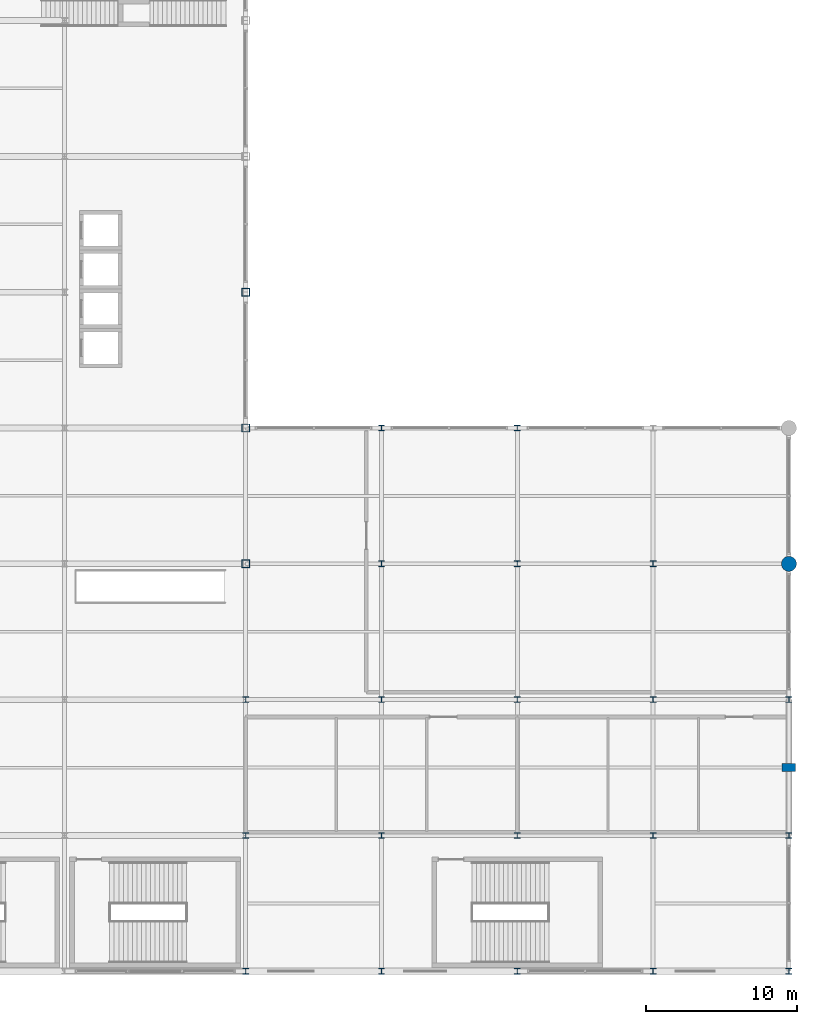
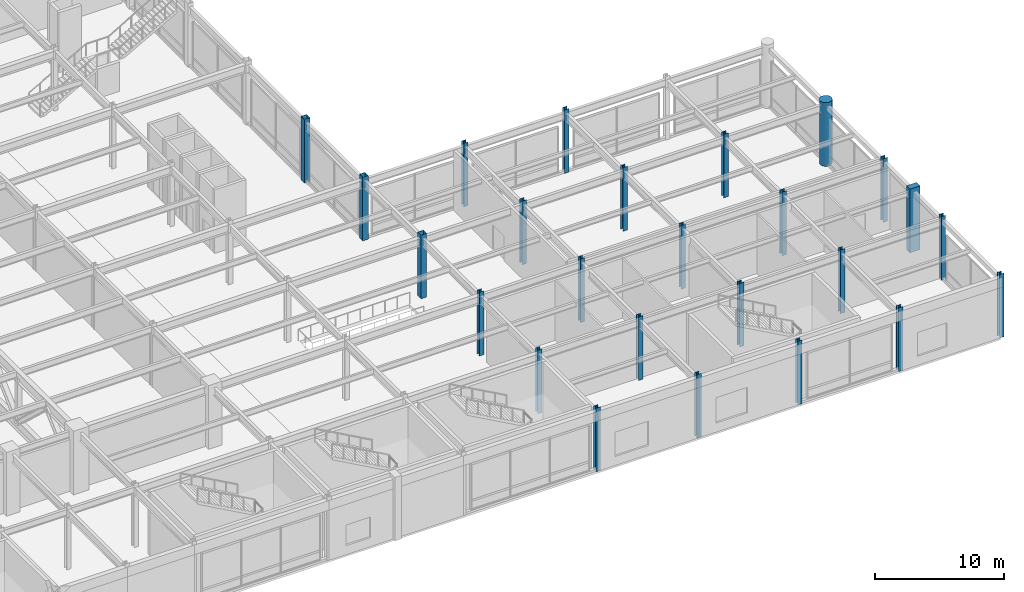
# One storey, part 14 of 108: 25 columns.
"""IFC4 building model written with IfcOpenShell, lengths in metres."""

from ifc_helpers import new_model, si_unit, direction, frame, origin, origin_2d, place, context, subcontext, project, spatial, rectangle, hollow_rectangle, circle, i_section, extrude, material, material_profile, profile_set, type_object, element, save


model = new_model("IFC4")

# Units and contexts
model_context = context("Model", 3, precision=1e-05, world=origin(), true_north=direction((0.0, 1.0)))
body_context = subcontext(model_context, "Body", "Model", "MODEL_VIEW")
ifc_project = project(units=[si_unit("LENGTHUNIT", "METRE"), si_unit("AREAUNIT", "SQUARE_METRE"), si_unit("VOLUMEUNIT", "CUBIC_METRE"), si_unit("PLANEANGLEUNIT", "RADIAN"), si_unit("MASSUNIT", "GRAM", prefix="KILO")], contexts=[model_context])

# Site, building, storey
site_placement = place(None, origin())
site = spatial("IfcSite", under=ifc_project, at=site_placement, CompositionType="ELEMENT")
building_placement = place(site_placement, origin())
building = spatial("IfcBuilding", under=site, at=building_placement, Name="Kaldorvane Square Convention Centre", CompositionType="ELEMENT")
storey_placement = place(building_placement, frame((0.0, 0.0, 12.0)))
storey = spatial("IfcBuildingStorey", under=building, at=storey_placement, Name="L02", CompositionType="ELEMENT", Elevation=12.0)

# Columns
ifc_material_1 = material(Name="Steel ASTM A500 Gr. C", Category="steel")
ifc_material_profile_1 = material_profile(ifc_material_1, hollow_rectangle(XDim=0.50799560546875, YDim=0.50799560546875, WallThickness=0.014801025390625, at=origin_2d()), Name="HSS20X20X5/8")
ifc_profile_set_1 = profile_set([ifc_material_profile_1], Name="Steel ASTM A500 Gr. C")
column_type_1 = type_object("IfcColumnType", Name="COL-HSS-20", PredefinedType="COLUMN", material=ifc_profile_set_1)
for number, where, z_axis, x_axis, name in (
    (1, (138.0, 27.0, 0.0), (0.0, 0.0, 1.0), (1.0, 0.0, 0.0), "Column SC-13 (L02)"),
    (2, (138.0, 36.0, 0.0), (0.0, 0.0, 1.0), (1.0, 0.0, 0.0), "Column SC-13 (L02)"),
    (3, (138.0, 45.0, 0.0), (0.0, 0.0, 1.0), (1.0, 0.0, 0.0), "Column SC-13 (L02)"),
):
    element("IfcColumn", number, at=place(storey_placement, frame(where, z_axis=z_axis, x_axis=x_axis)), inside=storey, type_object=column_type_1, Name=name, PredefinedType="COLUMN", context=body_context, shape_type="SweptSolid", body=[
        extrude(hollow_rectangle(XDim=0.50799560546875, YDim=0.50799560546875, WallThickness=0.014801025390625, at=origin_2d()), origin(), (0.0, 0.0, 1.0), 6.0),
    ])
ifc_material_2 = material(Name="Concrete f'c = 55 MPa (Normalweight)", Category="concrete")
ifc_material_profile_2 = material_profile(ifc_material_2, circle(Radius=0.5, at=origin_2d()), Name="RC-D1000")
ifc_profile_set_2 = profile_set([ifc_material_profile_2], Name="Concrete f'c = 55 MPa (Normalweight)")
column_type_2 = type_object("IfcColumnType", Name="COL-RC-D1000", PredefinedType="COLUMN", material=ifc_profile_set_2)
column_1_placement = place(storey_placement, frame((174.0, 27.0, 0.0), z_axis=(0.0, 0.0, 1.0), x_axis=(1.0, 0.0, 0.0)))
element("IfcColumn", 4, at=column_1_placement, inside=storey, type_object=column_type_2, Name="Column CC-08 (L02)", PredefinedType="COLUMN", context=body_context, shape_type="SweptSolid", body=[
    extrude(circle(Radius=0.5, at=origin_2d()), origin(), (0.0, 0.0, 1.0), 6.0),
])
ifc_material_3 = material(Name="Steel ASTM A992 Gr. 50", Category="steel")
ifc_material_profile_3 = material_profile(ifc_material_3, i_section(OverallWidth=0.393707275390625, OverallDepth=0.375396728515625, WebThickness=0.017303466796875, FlangeThickness=0.0276947021484375, FilletRadius=0.0305023193359375, at=origin_2d()), Name="W14X145")
ifc_profile_set_3 = profile_set([ifc_material_profile_3], Name="Steel ASTM A992 Gr. 50")
column_type_3 = type_object("IfcColumnType", Name="COL-STL-145", PredefinedType="COLUMN", material=ifc_profile_set_3)
for number, where, z_axis, x_axis, name in (
    (5, (138.0, 0.0, 0.0), (0.0, 0.0, 1.0), (1.0, 0.0, 0.0), "Column SC-10 (L02)"),
    (6, (138.0, 9.0, 0.0), (0.0, 0.0, 1.0), (1.0, 0.0, 0.0), "Column SC-10 (L02)"),
    (7, (138.0, 18.0, 0.0), (0.0, 0.0, 1.0), (1.0, 0.0, 0.0), "Column SC-10 (L02)"),
    (8, (147.0, 0.0, 0.0), (0.0, 0.0, 1.0), (1.0, 0.0, 0.0), "Column SC-10 (L02)"),
    (9, (147.0, 9.0, 0.0), (0.0, 0.0, 1.0), (1.0, 0.0, 0.0), "Column SC-10 (L02)"),
    (10, (147.0, 18.0, 0.0), (0.0, 0.0, 1.0), (1.0, 0.0, 0.0), "Column SC-10 (L02)"),
    (11, (147.0, 27.0, 0.0), (0.0, 0.0, 1.0), (1.0, 0.0, 0.0), "Column SC-10 (L02)"),
    (12, (147.0, 36.0, 0.0), (0.0, 0.0, 1.0), (1.0, 0.0, 0.0), "Column SC-10 (L02)"),
    (13, (156.0, 0.0, 0.0), (0.0, 0.0, 1.0), (1.0, 0.0, 0.0), "Column SC-10 (L02)"),
    (14, (156.0, 9.0, 0.0), (0.0, 0.0, 1.0), (1.0, 0.0, 0.0), "Column SC-10 (L02)"),
    (15, (156.0, 18.0, 0.0), (0.0, 0.0, 1.0), (1.0, 0.0, 0.0), "Column SC-10 (L02)"),
    (16, (156.0, 27.0, 0.0), (0.0, 0.0, 1.0), (1.0, 0.0, 0.0), "Column SC-10 (L02)"),
    (17, (156.0, 36.0, 0.0), (0.0, 0.0, 1.0), (1.0, 0.0, 0.0), "Column SC-10 (L02)"),
    (18, (165.0, 0.0, 0.0), (0.0, 0.0, 1.0), (1.0, 0.0, 0.0), "Column SC-10 (L02)"),
    (19, (165.0, 9.0, 0.0), (0.0, 0.0, 1.0), (1.0, 0.0, 0.0), "Column SC-10 (L02)"),
    (20, (165.0, 18.0, 0.0), (0.0, 0.0, 1.0), (1.0, 0.0, 0.0), "Column SC-10 (L02)"),
    (21, (165.0, 27.0, 0.0), (0.0, 0.0, 1.0), (1.0, 0.0, 0.0), "Column SC-10 (L02)"),
    (22, (174.0, 0.0, 0.0), (0.0, 0.0, 1.0), (1.0, 0.0, 0.0), "Column SC-10 (L02)"),
    (23, (174.0, 9.0, 0.0), (0.0, 0.0, 1.0), (1.0, 0.0, 0.0), "Column SC-10 (L02)"),
    (24, (174.0, 18.0, 0.0), (0.0, 0.0, 1.0), (1.0, 0.0, 0.0), "Column SC-10 (L02)"),
):
    element("IfcColumn", number, at=place(storey_placement, frame(where, z_axis=z_axis, x_axis=x_axis)), inside=storey, type_object=column_type_3, Name=name, PredefinedType="COLUMN", context=body_context, shape_type="SweptSolid", body=[
        extrude(i_section(OverallWidth=0.393707275390625, OverallDepth=0.375396728515625, WebThickness=0.017303466796875, FlangeThickness=0.0276947021484375, FilletRadius=0.0305023193359375, at=origin_2d()), origin(), (0.0, 0.0, 1.0), 6.0),
    ])
ifc_material_4 = material(Name="Concrete f'c = 42 MPa (Normalweight)", Category="concrete")
ifc_material_profile_4 = material_profile(ifc_material_4, rectangle(XDim=0.5500030517578125, YDim=0.899993896484375, at=origin_2d()), Name="PIL900X550")
ifc_profile_set_4 = profile_set([ifc_material_profile_4], Name="Concrete f'c = 42 MPa (Normalweight)")
column_type_4 = type_object("IfcColumnType", Name="PIL-BRUT-900", PredefinedType="PILASTER", material=ifc_profile_set_4)
column_2_placement = place(storey_placement, frame((174.0, 13.5, 0.0), z_axis=(0.0, 0.0, 1.0), x_axis=(0.0, 1.0, 0.0)))
element("IfcColumn", 25, at=column_2_placement, inside=storey, type_object=column_type_4, Name="Brutalist Colonnade Pilaster (L02)", PredefinedType="PILASTER", context=body_context, shape_type="SweptSolid", body=[
    extrude(rectangle(XDim=0.5500030517578125, YDim=0.899993896484375, at=origin_2d()), origin(), (0.0, 0.0, 1.0), 6.0),
])

save(model, "model.ifc")
